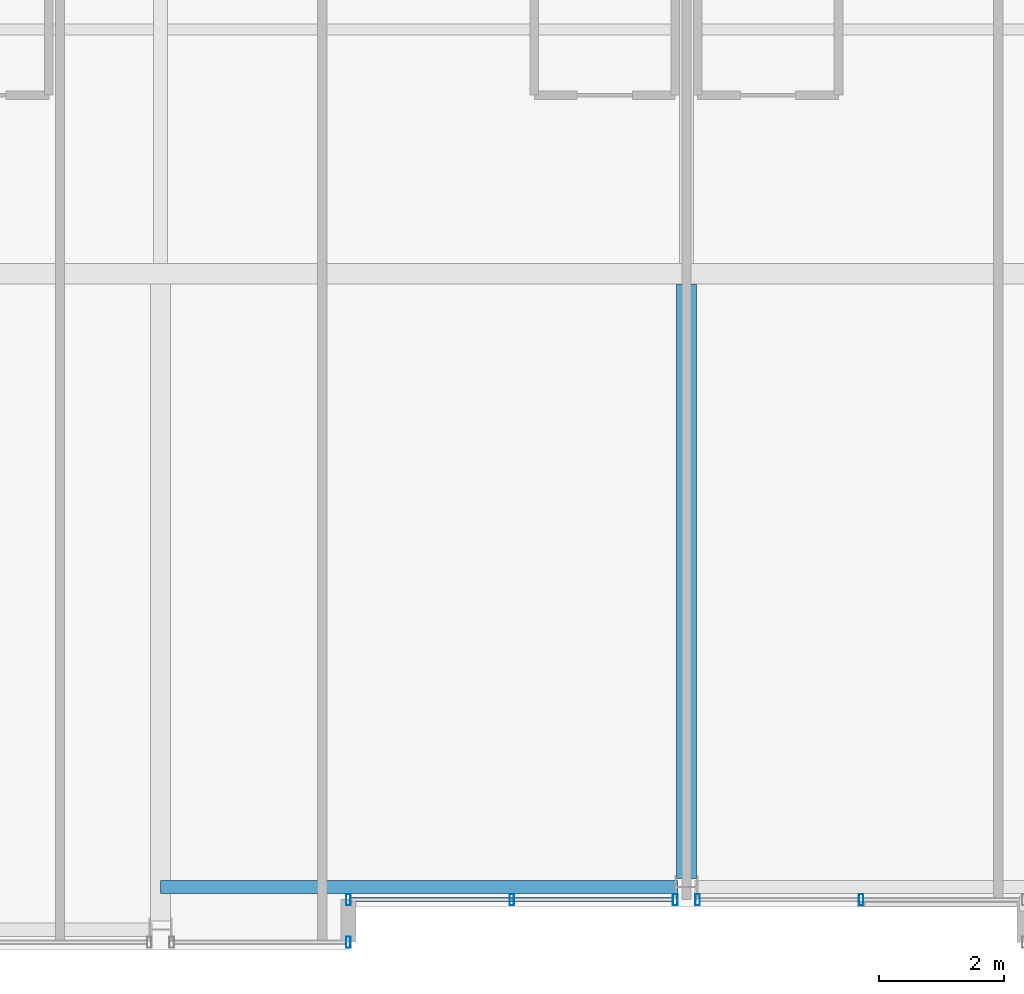
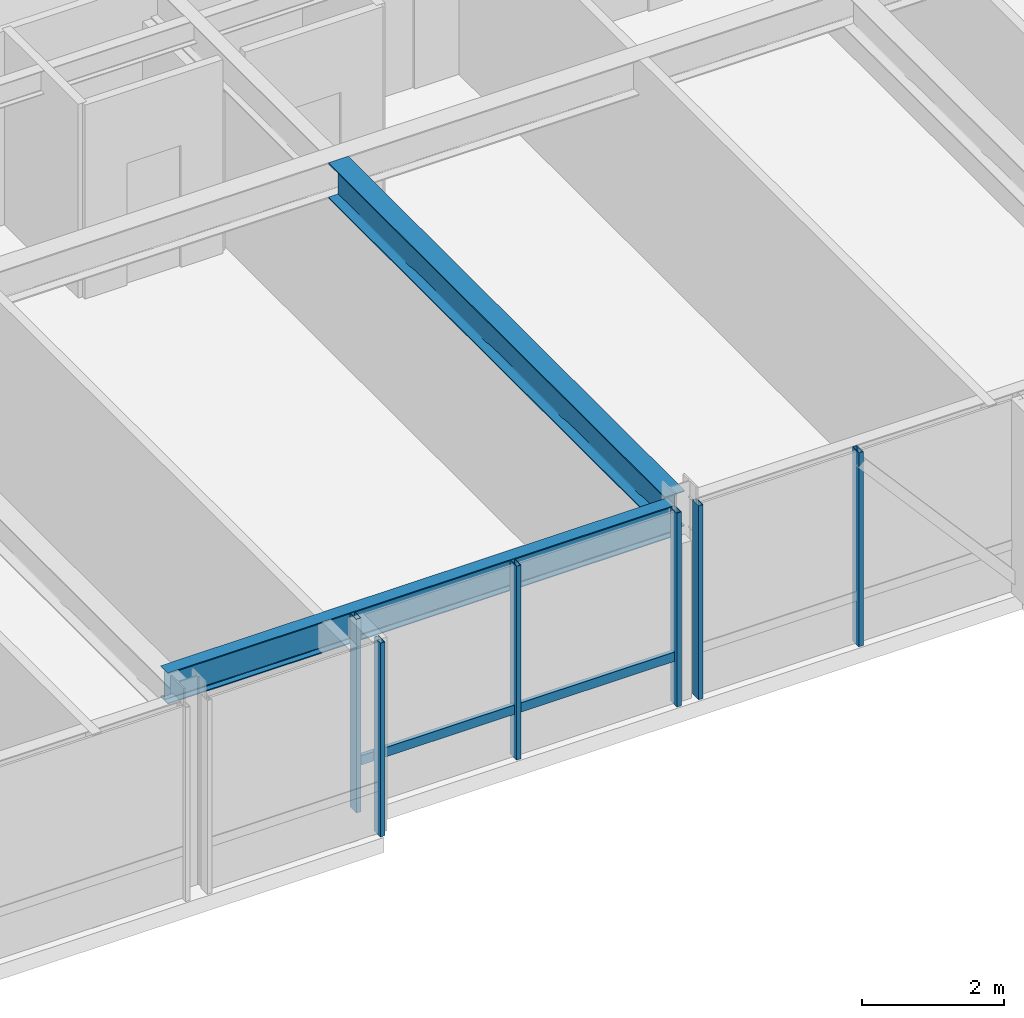
# One storey, part 6 of 33: 7 members, 2 beams, 3 elements without a shape of their own.
"""IFC4 building model written with IfcOpenShell, lengths in metres."""

from ifc_helpers import new_model, si_unit, direction, frame, origin, origin_2d, place, context, subcontext, project, spatial, hollow_rectangle, i_section, extrude, material, layer, layer_set, material_profile, profile_set, type_object, element, aggregate, save


model = new_model("IFC4")

# Units and contexts
model_context = context("Model", 3, precision=1e-05, world=origin(), true_north=direction((0.0, 1.0)))
body_context = subcontext(model_context, "Body", "Model", "MODEL_VIEW")
ifc_project = project(units=[si_unit("LENGTHUNIT", "METRE"), si_unit("AREAUNIT", "SQUARE_METRE"), si_unit("VOLUMEUNIT", "CUBIC_METRE"), si_unit("PLANEANGLEUNIT", "RADIAN"), si_unit("MASSUNIT", "GRAM", prefix="KILO")], contexts=[model_context])

# Site, building, storey
site_placement = place(None, origin())
site = spatial("IfcSite", under=ifc_project, at=site_placement, CompositionType="ELEMENT")
building_placement = place(site_placement, origin())
building = spatial("IfcBuilding", under=site, at=building_placement, Name="Drelvath Grand Hotel", CompositionType="ELEMENT")
storey_placement = place(building_placement, frame((0.0, 0.0, 248.300048828125)))
storey = spatial("IfcBuildingStorey", under=building, at=storey_placement, Name="L65", CompositionType="ELEMENT", Elevation=248.300048828125)

# Curtain wall, members
ifc_material_1 = material(Name="Platinum-Mist Anodised Aluminium Frame", Category="aluminium")
ifc_layer = layer(ifc_material_1, 0.199951171875)
ifc_layer_set = layer_set([ifc_layer], Name="Platinum-Mist Anodised Aluminium Frame")
curtain_wall_type = type_object("IfcCurtainWallType", Name="Stick Curtain Wall CW-05 Platinum Mist High-Rise", PredefinedType="NOTDEFINED", material=ifc_layer_set)
curtain_wall_1_placement = place(storey_placement, origin())
curtain_wall_1 = element("IfcCurtainWall", 1, at=curtain_wall_1_placement, inside=storey, type_object=curtain_wall_type, Name="L65 CW-05 Curtain Wall CW05-L65-SM1", PredefinedType="NOTDEFINED")
ifc_material_profile_1 = material_profile(ifc_material_1, hollow_rectangle(XDim=0.06494140625, YDim=0.159912109375, WallThickness=0.00390625, at=origin_2d()), Name="HSS160X65X4")
ifc_profile_set_1 = profile_set([ifc_material_profile_1], Name="Platinum-Mist Anodised Aluminium Frame")
member_type_1 = type_object("IfcMemberType", Name="Curtain Wall Horizontal Transom CW-05 HSS160X65X4", PredefinedType="USERDEFINED", material=ifc_profile_set_1)
member_1_placement = place(storey_placement, frame((-0.21826171875, 0.800048828125, 0.8349609375), z_axis=(-1.0, 0.0, 0.0), x_axis=(0.0, -1.0, 0.0)))
member_1 = element("IfcMember", 2, at=member_1_placement, type_object=member_type_1, Name="CW05-L65-SM1 Sill Transom", ObjectType="TRANSOM", PredefinedType="USERDEFINED", context=body_context, shape_type="SweptSolid", body=[
    extrude(hollow_rectangle(XDim=0.06494140625, YDim=0.159912109375, WallThickness=0.00390625, at=origin_2d()), origin(), (0.0, 0.0, 1.0), 5.141845703125),
])
ifc_material_profile_2 = material_profile(ifc_material_1, hollow_rectangle(XDim=0.074951171875, YDim=0.179931640625, WallThickness=0.0048828125, at=origin_2d()), Name="HSS180X75X5")
ifc_profile_set_2 = profile_set([ifc_material_profile_2], Name="Platinum-Mist Anodised Aluminium Frame")
member_type_2 = type_object("IfcMemberType", Name="Curtain Wall Vertical Mullion CW-05 HSS180X75X5", PredefinedType="MULLION", material=ifc_profile_set_2)
member_2_placement = place(storey_placement, frame((-0.17822265625, 0.800048828125, 0.0), z_axis=(0.0, 0.0, 1.0), x_axis=(1.0, 0.0, 0.0)))
member_2 = element("IfcMember", 3, at=member_2_placement, type_object=member_type_2, Name="CW05-L65-SM1 Mullion 1", PredefinedType="MULLION", context=body_context, shape_type="SweptSolid", body=[
    extrude(hollow_rectangle(XDim=0.074951171875, YDim=0.179931640625, WallThickness=0.0048828125, at=origin_2d()), origin(), (0.0, 0.0, 1.0), 3.33984375),
])
member_3_placement = place(storey_placement, frame((-2.7890625, 0.800048828125, 0.0), z_axis=(0.0, 0.0, 1.0), x_axis=(1.0, 0.0, 0.0)))
member_3 = element("IfcMember", 4, at=member_3_placement, type_object=member_type_2, Name="CW05-L65-SM1 Mullion 2", PredefinedType="MULLION", context=body_context, shape_type="SweptSolid", body=[
    extrude(hollow_rectangle(XDim=0.074951171875, YDim=0.179931640625, WallThickness=0.0048828125, at=origin_2d()), origin(), (0.0, 0.0, 1.0), 3.33984375),
])
member_4_placement = place(storey_placement, frame((-5.39990234375, 0.800048828125, 0.0), z_axis=(0.0, 0.0, 1.0), x_axis=(1.0, 0.0, 0.0)))
member_4 = element("IfcMember", 5, at=member_4_placement, type_object=member_type_2, Name="CW05-L65-SM1 Mullion 3", PredefinedType="MULLION", context=body_context, shape_type="SweptSolid", body=[
    extrude(hollow_rectangle(XDim=0.074951171875, YDim=0.179931640625, WallThickness=0.0048828125, at=origin_2d()), origin(), (0.0, 0.0, 1.0), 3.33984375),
])
aggregate(curtain_wall_1, [member_2, member_3, member_4, member_1])

curtain_wall_2_placement = place(storey_placement, origin())
curtain_wall_2 = element("IfcCurtainWall", 6, at=curtain_wall_2_placement, inside=storey, type_object=curtain_wall_type, Name="L65 CW-05 Curtain Wall CW05-L65-SM2", PredefinedType="NOTDEFINED")
member_5_placement = place(storey_placement, frame((2.7890625, 0.800048828125, 0.0), z_axis=(0.0, 0.0, 1.0), x_axis=(1.0, 0.0, 0.0)))
member_5 = element("IfcMember", 7, at=member_5_placement, type_object=member_type_2, Name="CW05-L65-SM2 Mullion 2", PredefinedType="MULLION", context=body_context, shape_type="SweptSolid", body=[
    extrude(hollow_rectangle(XDim=0.074951171875, YDim=0.179931640625, WallThickness=0.0048828125, at=origin_2d()), origin(), (0.0, 0.0, 1.0), 3.33984375),
])
member_6_placement = place(storey_placement, frame((0.17822265625, 0.800048828125, 0.0), z_axis=(0.0, 0.0, 1.0), x_axis=(1.0, 0.0, 0.0)))
member_6 = element("IfcMember", 8, at=member_6_placement, type_object=member_type_2, Name="CW05-L65-SM2 Mullion 3", PredefinedType="MULLION", context=body_context, shape_type="SweptSolid", body=[
    extrude(hollow_rectangle(XDim=0.074951171875, YDim=0.179931640625, WallThickness=0.0048828125, at=origin_2d()), origin(), (0.0, 0.0, 1.0), 3.33984375),
])
aggregate(curtain_wall_2, [member_5, member_6])

# Curtain wall, member
curtain_wall_3_placement = place(storey_placement, origin())
curtain_wall_3 = element("IfcCurtainWall", 9, at=curtain_wall_3_placement, inside=storey, type_object=curtain_wall_type, Name="L65 CW-05 Curtain Wall CW05-L65-SW3", PredefinedType="NOTDEFINED")
member_7_placement = place(storey_placement, frame((-5.39990234375, 0.1201171875, 0.0), z_axis=(0.0, 0.0, 1.0), x_axis=(1.0, 0.0, 0.0)))
member_7 = element("IfcMember", 10, at=member_7_placement, type_object=member_type_2, Name="CW05-L65-SW3 Mullion 1", PredefinedType="MULLION", context=body_context, shape_type="SweptSolid", body=[
    extrude(hollow_rectangle(XDim=0.074951171875, YDim=0.179931640625, WallThickness=0.0048828125, at=origin_2d()), origin(), (0.0, 0.0, 1.0), 3.33984375),
])
aggregate(curtain_wall_3, [member_7])

# Beams
ifc_material_2 = material(Name="Steel ASTM A992 Gr 50", Category="steel")
ifc_material_profile_3 = material_profile(ifc_material_2, i_section(OverallWidth=0.210205078125, OverallDepth=0.53662109375, WebThickness=0.010986328125, FlangeThickness=0.017333984375, FilletRadius=0.01806640625, at=origin_2d()), Name="W21X68")
ifc_profile_set_3 = profile_set([ifc_material_profile_3], Name="Steel ASTM A992 Gr 50")
beam_type_1 = type_object("IfcBeamType", Name="Perimeter Spandrel Beam W21X68", PredefinedType="SPANDREL", material=ifc_profile_set_3)
beam_1_placement = place(storey_placement, frame((-8.39990234375, 1.0, 3.071533203125), z_axis=(1.0, 0.0, 0.0), x_axis=(0.0, 1.0, 0.0)))
element("IfcBeam", 11, at=beam_1_placement, inside=storey, type_object=beam_type_1, Name="L65 Spandrel South Mid W", PredefinedType="SPANDREL", context=body_context, shape_type="SweptSolid", body=[
    extrude(i_section(OverallWidth=0.210205078125, OverallDepth=0.53662109375, WebThickness=0.010986328125, FlangeThickness=0.017333984375, FilletRadius=0.01806640625, at=origin_2d()), origin(), (0.0, 0.0, 1.0), 8.260009765625),
])
ifc_material_profile_4 = material_profile(ifc_material_2, i_section(OverallWidth=0.323974609375, OverallDepth=0.611083984375, WebThickness=0.0126953125, FlangeThickness=0.01904296875, FilletRadius=0.02197265625, at=origin_2d()), Name="W24X104")
ifc_profile_set_4 = profile_set([ifc_material_profile_4], Name="Steel ASTM A992 Gr 50")
beam_type_2 = type_object("IfcBeamType", Name="Primary Floor Girder W24X104", PredefinedType="BEAM", material=ifc_profile_set_4)
beam_2_placement = place(storey_placement, frame((0.0, 1.139892578125, 3.034423828125), z_axis=(0.0, 1.0, 0.0), x_axis=(-1.0, 0.0, 0.0)))
element("IfcBeam", 12, at=beam_2_placement, inside=storey, type_object=beam_type_2, Name="L65 South Wing Girder 5", PredefinedType="BEAM", context=body_context, shape_type="SweptSolid", body=[
    extrude(i_section(OverallWidth=0.323974609375, OverallDepth=0.611083984375, WebThickness=0.0126953125, FlangeThickness=0.01904296875, FilletRadius=0.02197265625, at=origin_2d()), origin(), (0.0, 0.0, 1.0), 9.498046875),
])

save(model, "model.ifc")
